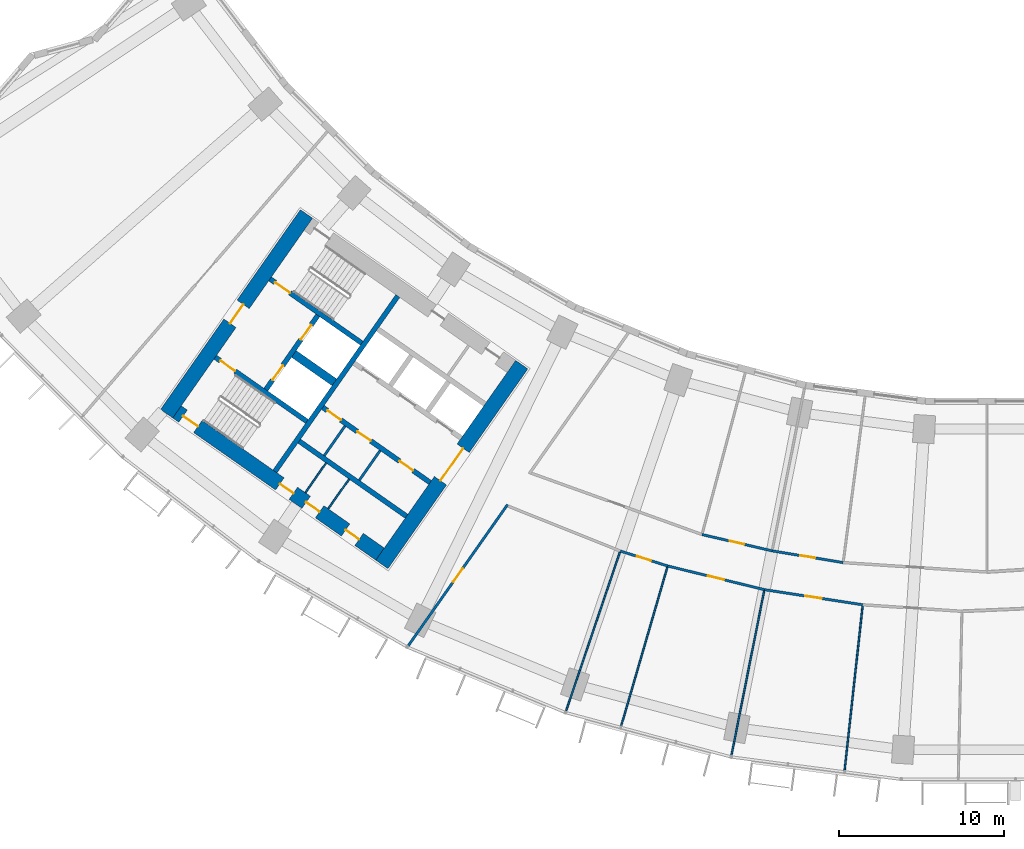
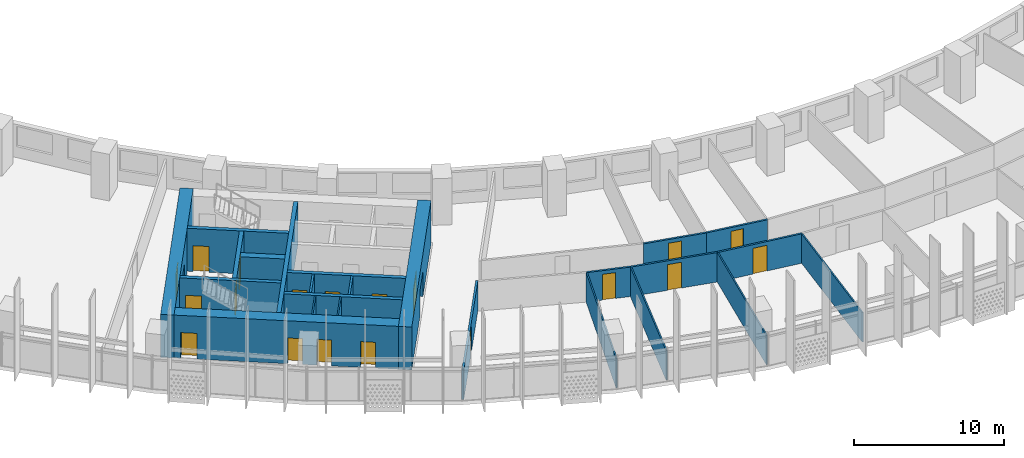
# One storey, part 3 of 31: 24 walls, 19 doors, 19 openings.
"""IFC4 building model written with IfcOpenShell, lengths in metres."""

from ifc_helpers import new_model, si_unit, direction, frame, frame_2d, origin, place, context, subcontext, project, spatial, rectangle, extrude, material, layer, layer_set, type_object, element, fill, save


model = new_model("IFC4")

# Units and contexts
model_context = context("Model", 3, precision=1e-05, world=origin(), true_north=direction((0.0, 1.0)))
body_context = subcontext(model_context, "Body", "Model", "MODEL_VIEW")
ifc_project = project(units=[si_unit("LENGTHUNIT", "METRE"), si_unit("AREAUNIT", "SQUARE_METRE"), si_unit("VOLUMEUNIT", "CUBIC_METRE"), si_unit("PLANEANGLEUNIT", "RADIAN"), si_unit("MASSUNIT", "GRAM", prefix="KILO")], contexts=[model_context])

# Site, building, storey
site_placement = place(None, origin())
site = spatial("IfcSite", under=ifc_project, at=site_placement, CompositionType="ELEMENT")
building_placement = place(site_placement, origin())
building = spatial("IfcBuilding", under=site, at=building_placement, Name="Qamariyya Broadcast Tower", CompositionType="ELEMENT")
storey_placement = place(building_placement, frame((0.0, 0.0, 48.10009765625)))
storey = spatial("IfcBuildingStorey", under=building, at=storey_placement, Name="L08", CompositionType="ELEMENT", Elevation=48.10009765625)

# Wall, opening, door
ifc_material_1 = material(Name="Concrete C70/85", Category="concrete")
ifc_layer_1 = layer(ifc_material_1, 0.89990234375)
ifc_layer_set_1 = layer_set([ifc_layer_1], Name="Core wall 900 mm Concrete C70/85")
wall_type_1 = type_object("IfcWallType", Name="Core wall 900 mm Concrete C70/85", PredefinedType="SHEAR", material=ifc_layer_set_1)
wall_1_placement = place(storey_placement, frame((-36.716796875, -66.3369140625, 0.0), z_axis=(0.0, 0.0, 1.0), x_axis=(0.573577477574, 0.819151315216, 0.0)))
wall_1 = element("IfcWall", 1, at=wall_1_placement, inside=storey, type_object=wall_type_1, Name="k-W-L08-WA", PredefinedType="SHEAR", context=body_context, shape_type="SweptSolid", body=[
    extrude(rectangle(XDim=14.800048828125, YDim=0.89990234375, at=frame_2d((7.39990234375, 0.0))), origin(), (0.0, 0.0, 1.0), 3.5),
])
opening_1_placement = place(wall_1_placement, frame((6.199951171875, 0.0, 0.0)))
opening_1 = element("IfcOpeningElement", 2, at=opening_1_placement, cuts=wall_1, Name="Opening KD3-W1", PredefinedType="OPENING", context=body_context, shape_type="SweptSolid", body=[
    extrude(rectangle(XDim=2.39990234375, YDim=2.10009765625, at=frame_2d((1.199951171875, 1.050048828125))), frame((0.0, 0.4599609375, 0.0), z_axis=(0.0, -1.0, 0.0), x_axis=(1.0, 0.0, 0.0)), (0.0, 0.0, 1.0), 0.919921875),
])
ifc_material_2 = material(Name="Steel fire-resisting door leaf", Category="steel")
door_type_1 = type_object("IfcDoorType", Name="Lift lobby door KD3", OperationType="DOUBLE_DOOR_SINGLE_SWING", PredefinedType="DOOR", material=ifc_material_2)
door_1_placement = place(opening_1_placement, origin())
door_1 = element("IfcDoor", 3, at=door_1_placement, inside=storey, type_object=door_type_1, Name="k-W-L08-WA-D1", OperationType="DOUBLE_DOOR_SINGLE_SWING", OverallHeight=2.10009765625, OverallWidth=2.39990234375, PredefinedType="DOOR", context=body_context, shape_type="SweptSolid", body=[
    extrude(rectangle(XDim=2.39990234375, YDim=2.10009765625, at=frame_2d((1.199951171875, 1.050048828125))), frame((0.0, 0.02490234375, 0.0), z_axis=(0.0, -1.0, 0.0), x_axis=(1.0, 0.0, 0.0)), (0.0, 0.0, 1.0), 0.050048828125),
])
fill(opening_1, door_1)

wall_2_placement = place(storey_placement, frame((-49.778564453125, -57.191162109375, 0.0), z_axis=(0.0, 0.0, 1.0), x_axis=(0.573577477574, 0.819151315216, 0.0)))
wall_2 = element("IfcWall", 4, at=wall_2_placement, inside=storey, type_object=wall_type_1, Name="k-W-L08-WH", PredefinedType="SHEAR", context=body_context, shape_type="SweptSolid", body=[
    extrude(rectangle(XDim=14.800048828125, YDim=0.89990234375, at=frame_2d((7.39990234375, 0.0))), origin(), (0.0, 0.0, 1.0), 3.5),
])
opening_2_placement = place(wall_2_placement, frame((6.699951171875, 0.0, 0.0)))
opening_2 = element("IfcOpeningElement", 5, at=opening_2_placement, cuts=wall_2, Name="Opening KD2-W1", PredefinedType="OPENING", context=body_context, shape_type="SweptSolid", body=[
    extrude(rectangle(XDim=1.39990234375, YDim=2.10009765625, at=frame_2d((0.699951171875, 1.050048828125))), frame((0.0, 0.4599609375, 0.0), z_axis=(0.0, -1.0, 0.0), x_axis=(1.0, 0.0, 0.0)), (0.0, 0.0, 1.0), 0.919921875),
])
door_type_2 = type_object("IfcDoorType", Name="Fire-fighting lobby door KD2", OperationType="DOUBLE_DOOR_SINGLE_SWING", PredefinedType="DOOR", material=ifc_material_2)
door_2_placement = place(opening_2_placement, origin())
door_2 = element("IfcDoor", 6, at=door_2_placement, inside=storey, type_object=door_type_2, Name="k-W-L08-WH-D15", OperationType="DOUBLE_DOOR_SINGLE_SWING", OverallHeight=2.10009765625, OverallWidth=1.39990234375, PredefinedType="DOOR", context=body_context, shape_type="SweptSolid", body=[
    extrude(rectangle(XDim=1.39990234375, YDim=2.10009765625, at=frame_2d((0.699951171875, 1.050048828125))), frame((0.0, 0.02490234375, 0.0), z_axis=(0.0, -1.0, 0.0), x_axis=(1.0, 0.0, 0.0)), (0.0, 0.0, 1.0), 0.050048828125),
])
fill(opening_2, door_2)

# Wall, openings, doors
wall_3_placement = place(storey_placement, frame((-36.827392578125, -65.710205078125, 0.0), z_axis=(0.0, 0.0, 1.0), x_axis=(-0.819153391756, 0.573574511963, 0.0)))
wall_3 = element("IfcWall", 7, at=wall_3_placement, inside=storey, type_object=wall_type_1, Name="k-W-L08-WO", PredefinedType="SHEAR", context=body_context, shape_type="SweptSolid", body=[
    extrude(rectangle(XDim=15.04541015625, YDim=0.89990234375, at=frame_2d((7.522705078125, 0.0))), origin(), (0.0, 0.0, 1.0), 3.5),
])
opening_3_placement = place(wall_3_placement, frame((1.550048828125, 0.0, 0.0)))
opening_3 = element("IfcOpeningElement", 8, at=opening_3_placement, cuts=wall_3, Name="Opening KD4-W2", PredefinedType="OPENING", context=body_context, shape_type="SweptSolid", body=[
    extrude(rectangle(XDim=1.0, YDim=2.10009765625, at=frame_2d((0.5, 1.050048828125))), frame((0.0, 0.4599609375, 0.0), z_axis=(0.0, -1.0, 0.0), x_axis=(1.0, 0.0, 0.0)), (0.0, 0.0, 1.0), 0.919921875),
])
opening_4_placement = place(wall_3_placement, frame((4.47509765625, 0.0, 0.0)))
opening_4 = element("IfcOpeningElement", 9, at=opening_4_placement, cuts=wall_3, Name="Opening KD4-W3", PredefinedType="OPENING", context=body_context, shape_type="SweptSolid", body=[
    extrude(rectangle(XDim=1.0, YDim=2.10009765625, at=frame_2d((0.5, 1.050048828125))), frame((0.0, 0.4599609375, 0.0), z_axis=(0.0, -1.0, 0.0), x_axis=(1.0, 0.0, 0.0)), (0.0, 0.0, 1.0), 0.919921875),
])
opening_5_placement = place(wall_3_placement, frame((6.425048828125, 0.0, 0.0)))
opening_5 = element("IfcOpeningElement", 10, at=opening_5_placement, cuts=wall_3, Name="Opening KD4-W4", PredefinedType="OPENING", context=body_context, shape_type="SweptSolid", body=[
    extrude(rectangle(XDim=1.0, YDim=2.10009765625, at=frame_2d((0.5, 1.050048828125))), frame((0.0, 0.4599609375, 0.0), z_axis=(0.0, -1.0, 0.0), x_axis=(1.0, 0.0, 0.0)), (0.0, 0.0, 1.0), 0.919921875),
])
opening_6_placement = place(wall_3_placement, frame((13.495361328125, 0.0, 0.0)))
opening_6 = element("IfcOpeningElement", 11, at=opening_6_placement, cuts=wall_3, Name="Opening KD1-W3", PredefinedType="OPENING", context=body_context, shape_type="SweptSolid", body=[
    extrude(rectangle(XDim=1.10009765625, YDim=2.10009765625, at=frame_2d((0.550048828125, 1.050048828125))), frame((0.0, 0.4599609375, 0.0), z_axis=(0.0, -1.0, 0.0), x_axis=(1.0, 0.0, 0.0)), (0.0, 0.0, 1.0), 0.919921875),
])
door_type_3 = type_object("IfcDoorType", Name="Riser and plant door KD4", OperationType="SINGLE_SWING_LEFT", PredefinedType="DOOR", material=ifc_material_2)
door_3_placement = place(opening_3_placement, origin())
door_3 = element("IfcDoor", 12, at=door_3_placement, inside=storey, type_object=door_type_3, Name="k-W-L08-WO-D10", OperationType="SINGLE_SWING_LEFT", OverallHeight=2.10009765625, OverallWidth=1.0, PredefinedType="DOOR", context=body_context, shape_type="SweptSolid", body=[
    extrude(rectangle(XDim=1.0, YDim=2.10009765625, at=frame_2d((0.5, 1.050048828125))), frame((0.0, 0.02490234375, 0.0), z_axis=(0.0, -1.0, 0.0), x_axis=(1.0, 0.0, 0.0)), (0.0, 0.0, 1.0), 0.050048828125),
])
fill(opening_3, door_3)
door_4_placement = place(opening_4_placement, origin())
door_4 = element("IfcDoor", 13, at=door_4_placement, inside=storey, type_object=door_type_3, Name="k-W-L08-WO-D11", OperationType="SINGLE_SWING_RIGHT", OverallHeight=2.10009765625, OverallWidth=1.0, PredefinedType="DOOR", context=body_context, shape_type="SweptSolid", body=[
    extrude(rectangle(XDim=1.0, YDim=2.10009765625, at=frame_2d((0.5, 1.050048828125))), frame((0.0, 0.02490234375, 0.0), z_axis=(0.0, -1.0, 0.0), x_axis=(1.0, 0.0, 0.0)), (0.0, 0.0, 1.0), 0.050048828125),
])
fill(opening_4, door_4)
door_5_placement = place(opening_5_placement, origin())
door_5 = element("IfcDoor", 14, at=door_5_placement, inside=storey, type_object=door_type_3, Name="k-W-L08-WO-D12", OperationType="SINGLE_SWING_LEFT", OverallHeight=2.10009765625, OverallWidth=1.0, PredefinedType="DOOR", context=body_context, shape_type="SweptSolid", body=[
    extrude(rectangle(XDim=1.0, YDim=2.10009765625, at=frame_2d((0.5, 1.050048828125))), frame((0.0, 0.02490234375, 0.0), z_axis=(0.0, -1.0, 0.0), x_axis=(1.0, 0.0, 0.0)), (0.0, 0.0, 1.0), 0.050048828125),
])
fill(opening_5, door_5)
door_type_4 = type_object("IfcDoorType", Name="Stair door KD1", OperationType="SINGLE_SWING_LEFT", PredefinedType="DOOR", material=ifc_material_2)
door_6_placement = place(opening_6_placement, origin())
door_6 = element("IfcDoor", 15, at=door_6_placement, inside=storey, type_object=door_type_4, Name="k-W-L08-WO-D18", OperationType="SINGLE_SWING_LEFT", OverallHeight=2.10009765625, OverallWidth=1.10009765625, PredefinedType="DOOR", context=body_context, shape_type="SweptSolid", body=[
    extrude(rectangle(XDim=1.10009765625, YDim=2.10009765625, at=frame_2d((0.550048828125, 1.050048828125))), frame((0.0, 0.02490234375, 0.0), z_axis=(0.0, -1.0, 0.0), x_axis=(1.0, 0.0, 0.0)), (0.0, 0.0, 1.0), 0.050048828125),
])
fill(opening_6, door_6)

# Wall, opening, door
ifc_material_3 = material(Name="Gypsum board partition")
ifc_layer_2 = layer(ifc_material_3, 0.14990234375)
ifc_layer_set_2 = layer_set([ifc_layer_2], Name="Corridor partition 150 EI 60")
wall_type_2 = type_object("IfcWallType", Name="Corridor partition 150 EI 60", PredefinedType="PARTITIONING", material=ifc_layer_set_2)
wall_4_placement = place(storey_placement, frame((-29.087890625, -62.708251953125, 0.0), z_axis=(0.0, 0.0, 1.0), x_axis=(-0.575411972256, -0.817863718589, 0.0)))
wall_4 = element("IfcWall", 16, at=wall_4_placement, inside=storey, type_object=wall_type_2, Name="Partition L08-002", PredefinedType="PARTITIONING", context=body_context, shape_type="SweptSolid", body=[
    extrude(rectangle(XDim=10.471435546875, YDim=0.14990234375, at=frame_2d((5.23583984375, 0.0))), origin(), (0.0, 0.0, 1.0), 2.39990234375),
])
opening_7_placement = place(wall_4_placement, frame((4.735595703125, 0.0, 0.0)))
opening_7 = element("IfcOpeningElement", 17, at=opening_7_placement, cuts=wall_4, Name="Opening L08-D01", PredefinedType="OPENING", context=body_context, shape_type="SweptSolid", body=[
    extrude(rectangle(XDim=1.0, YDim=2.10009765625, at=frame_2d((0.5, 1.050048828125))), frame((0.0, 0.0849609375, 0.0), z_axis=(0.0, -1.0, 0.0), x_axis=(1.0, 0.0, 0.0)), (0.0, 0.0, 1.0), 0.169921875),
])
ifc_material_4 = material(Name="Timber fire door leaf", Category="wood")
door_type_5 = type_object("IfcDoorType", Name="Fire door 1000 x 2100 FD60", OperationType="NOTDEFINED", PredefinedType="DOOR", material=ifc_material_4)
door_7_placement = place(opening_7_placement, origin())
door_7 = element("IfcDoor", 18, at=door_7_placement, inside=storey, type_object=door_type_5, Name="Door L08-D01", OperationType="SINGLE_SWING_RIGHT", OverallHeight=2.10009765625, OverallWidth=1.0, PredefinedType="DOOR", context=body_context, shape_type="SweptSolid", body=[
    extrude(rectangle(XDim=1.0, YDim=2.10009765625, at=frame_2d((0.5, 1.050048828125))), frame((0.0, 0.02490234375, 0.0), z_axis=(0.0, -1.0, 0.0), x_axis=(1.0, 0.0, 0.0)), (0.0, 0.0, 1.0), 0.050048828125),
])
fill(opening_7, door_7)

wall_5_placement = place(storey_placement, frame((-19.365966796875, -66.434814453125, 0.0), z_axis=(0.0, 0.0, 1.0), x_axis=(-0.953726854704, 0.300674386365, 0.0)))
wall_5 = element("IfcWall", 19, at=wall_5_placement, inside=storey, type_object=wall_type_2, Name="Partition L08-007", PredefinedType="PARTITIONING", context=body_context, shape_type="SweptSolid", body=[
    extrude(rectangle(XDim=3.017333984375, YDim=0.14990234375, at=frame_2d((1.5087890625, 0.0))), origin(), (0.0, 0.0, 1.0), 2.39990234375),
])
opening_8_placement = place(wall_5_placement, frame((1.05859375, 0.0, 0.0)))
opening_8 = element("IfcOpeningElement", 20, at=opening_8_placement, cuts=wall_5, Name="Opening L08-D02", PredefinedType="OPENING", context=body_context, shape_type="SweptSolid", body=[
    extrude(rectangle(XDim=0.89990234375, YDim=2.10009765625, at=frame_2d((0.449951171875, 1.050048828125))), frame((0.0, 0.0849609375, 0.0), z_axis=(0.0, -1.0, 0.0), x_axis=(1.0, 0.0, 0.0)), (0.0, 0.0, 1.0), 0.169921875),
])
door_type_6 = type_object("IfcDoorType", Name="Fire door 900 x 2100 FD60", OperationType="NOTDEFINED", PredefinedType="DOOR", material=ifc_material_4)
door_8_placement = place(opening_8_placement, origin())
door_8 = element("IfcDoor", 21, at=door_8_placement, inside=storey, type_object=door_type_6, Name="Door L08-D02", OperationType="SINGLE_SWING_RIGHT", OverallHeight=2.10009765625, OverallWidth=0.89990234375, PredefinedType="DOOR", context=body_context, shape_type="SweptSolid", body=[
    extrude(rectangle(XDim=0.89990234375, YDim=2.10009765625, at=frame_2d((0.449951171875, 1.050048828125))), frame((0.0, 0.02490234375, 0.0), z_axis=(0.0, -1.0, 0.0), x_axis=(1.0, 0.0, 0.0)), (0.0, 0.0, 1.0), 0.050048828125),
])
fill(opening_8, door_8)

wall_6_placement = place(storey_placement, frame((-13.500244140625, -67.870361328125, 0.0), z_axis=(0.0, 0.0, 1.0), x_axis=(-0.971333900191, 0.237719276331, 0.0)))
wall_6 = element("IfcWall", 22, at=wall_6_placement, inside=storey, type_object=wall_type_2, Name="Partition L08-009", PredefinedType="PARTITIONING", context=body_context, shape_type="SweptSolid", body=[
    extrude(rectangle(XDim=6.038818359375, YDim=0.14990234375, at=frame_2d((3.01953125, 0.0))), origin(), (0.0, 0.0, 1.0), 2.39990234375),
])
opening_9_placement = place(wall_6_placement, frame((2.51953125, 0.0, 0.0)))
opening_9 = element("IfcOpeningElement", 23, at=opening_9_placement, cuts=wall_6, Name="Opening L08-D03", PredefinedType="OPENING", context=body_context, shape_type="SweptSolid", body=[
    extrude(rectangle(XDim=1.0, YDim=2.10009765625, at=frame_2d((0.5, 1.050048828125))), frame((0.0, 0.0849609375, 0.0), z_axis=(0.0, -1.0, 0.0), x_axis=(1.0, 0.0, 0.0)), (0.0, 0.0, 1.0), 0.169921875),
])
door_9_placement = place(opening_9_placement, origin())
door_9 = element("IfcDoor", 24, at=door_9_placement, inside=storey, type_object=door_type_5, Name="Door L08-D03", OperationType="SINGLE_SWING_RIGHT", OverallHeight=2.10009765625, OverallWidth=1.0, PredefinedType="DOOR", context=body_context, shape_type="SweptSolid", body=[
    extrude(rectangle(XDim=1.0, YDim=2.10009765625, at=frame_2d((0.5, 1.050048828125))), frame((0.0, 0.02490234375, 0.0), z_axis=(0.0, -1.0, 0.0), x_axis=(1.0, 0.0, 0.0)), (0.0, 0.0, 1.0), 0.050048828125),
])
fill(opening_9, door_9)

wall_7_placement = place(storey_placement, frame((-17.2890625, -64.52392578125, 0.0), z_axis=(0.0, 0.0, 1.0), x_axis=(0.973886095728, -0.227037161159, 0.0)))
wall_7 = element("IfcWall", 25, at=wall_7_placement, inside=storey, type_object=wall_type_2, Name="Partition L08-010", PredefinedType="PARTITIONING", context=body_context, shape_type="SweptSolid", body=[
    extrude(rectangle(XDim=4.371337890625, YDim=0.14990234375, at=frame_2d((2.185546875, 0.0))), origin(), (0.0, 0.0, 1.0), 2.39990234375),
])
opening_10_placement = place(wall_7_placement, frame((1.735595703125, 0.0, 0.0)))
opening_10 = element("IfcOpeningElement", 26, at=opening_10_placement, cuts=wall_7, Name="Opening L08-D11", PredefinedType="OPENING", context=body_context, shape_type="SweptSolid", body=[
    extrude(rectangle(XDim=0.89990234375, YDim=2.10009765625, at=frame_2d((0.449951171875, 1.050048828125))), frame((0.0, 0.0849609375, 0.0), z_axis=(0.0, -1.0, 0.0), x_axis=(1.0, 0.0, 0.0)), (0.0, 0.0, 1.0), 0.169921875),
])
door_10_placement = place(opening_10_placement, origin())
door_10 = element("IfcDoor", 27, at=door_10_placement, inside=storey, type_object=door_type_6, Name="Door L08-D11", OperationType="SINGLE_SWING_RIGHT", OverallHeight=2.10009765625, OverallWidth=0.89990234375, PredefinedType="DOOR", context=body_context, shape_type="SweptSolid", body=[
    extrude(rectangle(XDim=0.89990234375, YDim=2.10009765625, at=frame_2d((0.449951171875, 1.050048828125))), frame((0.0, 0.02490234375, 0.0), z_axis=(0.0, -1.0, 0.0), x_axis=(1.0, 0.0, 0.0)), (0.0, 0.0, 1.0), 0.050048828125),
])
fill(opening_10, door_10)

wall_8_placement = place(storey_placement, frame((-7.53173828125, -68.788818359375, 0.0), z_axis=(0.0, 0.0, 1.0), x_axis=(-0.98836608834, 0.152093640297, 0.0)))
wall_8 = element("IfcWall", 28, at=wall_8_placement, inside=storey, type_object=wall_type_2, Name="Partition L08-013", PredefinedType="PARTITIONING", context=body_context, shape_type="SweptSolid", body=[
    extrude(rectangle(XDim=6.038818359375, YDim=0.14990234375, at=frame_2d((3.01953125, 0.0))), origin(), (0.0, 0.0, 1.0), 2.39990234375),
])
opening_11_placement = place(wall_8_placement, frame((2.51953125, 0.0, 0.0)))
opening_11 = element("IfcOpeningElement", 29, at=opening_11_placement, cuts=wall_8, Name="Opening L08-D04", PredefinedType="OPENING", context=body_context, shape_type="SweptSolid", body=[
    extrude(rectangle(XDim=1.0, YDim=2.10009765625, at=frame_2d((0.5, 1.050048828125))), frame((0.0, 0.0849609375, 0.0), z_axis=(0.0, -1.0, 0.0), x_axis=(1.0, 0.0, 0.0)), (0.0, 0.0, 1.0), 0.169921875),
])
door_11_placement = place(opening_11_placement, origin())
door_11 = element("IfcDoor", 30, at=door_11_placement, inside=storey, type_object=door_type_5, Name="Door L08-D04", OperationType="SINGLE_SWING_RIGHT", OverallHeight=2.10009765625, OverallWidth=1.0, PredefinedType="DOOR", context=body_context, shape_type="SweptSolid", body=[
    extrude(rectangle(XDim=1.0, YDim=2.10009765625, at=frame_2d((0.5, 1.050048828125))), frame((0.0, 0.02490234375, 0.0), z_axis=(0.0, -1.0, 0.0), x_axis=(1.0, 0.0, 0.0)), (0.0, 0.0, 1.0), 0.050048828125),
])
fill(opening_11, door_11)

wall_9_placement = place(storey_placement, frame((-13.031982421875, -65.516357421875, 0.0), z_axis=(0.0, 0.0, 1.0), x_axis=(0.986638873051, -0.162922479065, 0.0)))
wall_9 = element("IfcWall", 31, at=wall_9_placement, inside=storey, type_object=wall_type_2, Name="Partition L08-014", PredefinedType="PARTITIONING", context=body_context, shape_type="SweptSolid", body=[
    extrude(rectangle(XDim=4.37109375, YDim=0.14990234375, at=frame_2d((2.185546875, 0.0))), origin(), (0.0, 0.0, 1.0), 2.39990234375),
])
opening_12_placement = place(wall_9_placement, frame((1.735595703125, 0.0, 0.0)))
opening_12 = element("IfcOpeningElement", 32, at=opening_12_placement, cuts=wall_9, Name="Opening L08-D12", PredefinedType="OPENING", context=body_context, shape_type="SweptSolid", body=[
    extrude(rectangle(XDim=0.89990234375, YDim=2.10009765625, at=frame_2d((0.449951171875, 1.050048828125))), frame((0.0, 0.0849609375, 0.0), z_axis=(0.0, -1.0, 0.0), x_axis=(1.0, 0.0, 0.0)), (0.0, 0.0, 1.0), 0.169921875),
])
door_12_placement = place(opening_12_placement, origin())
door_12 = element("IfcDoor", 33, at=door_12_placement, inside=storey, type_object=door_type_6, Name="Door L08-D12", OperationType="SINGLE_SWING_RIGHT", OverallHeight=2.10009765625, OverallWidth=0.89990234375, PredefinedType="DOOR", context=body_context, shape_type="SweptSolid", body=[
    extrude(rectangle(XDim=0.89990234375, YDim=2.10009765625, at=frame_2d((0.449951171875, 1.050048828125))), frame((0.0, 0.02490234375, 0.0), z_axis=(0.0, -1.0, 0.0), x_axis=(1.0, 0.0, 0.0)), (0.0, 0.0, 1.0), 0.050048828125),
])
fill(opening_12, door_12)

# Walls
ifc_material_5 = material(Name="Concrete C60/75", Category="concrete")
ifc_layer_3 = layer(ifc_material_5, 0.5)
ifc_layer_set_3 = layer_set([ifc_layer_3], Name="Fire-fighting lobby divider wall 500 mm Concrete C60/75")
wall_type_3 = type_object("IfcWallType", Name="Fire-fighting lobby divider wall 500 mm Concrete C60/75", PredefinedType="SOLIDWALL", material=ifc_layer_set_3)
wall_10_placement = place(storey_placement, frame((-39.59912109375, -55.28515625, 0.0), z_axis=(0.0, 0.0, 1.0), x_axis=(-0.819136323161, 0.573598887793, 0.0)))
element("IfcWall", 34, at=wall_10_placement, inside=storey, type_object=wall_type_3, Name="k-W-L08-FD", PredefinedType="SOLIDWALL", context=body_context, shape_type="SweptSolid", body=[
    extrude(rectangle(XDim=2.999755859375, YDim=0.5, at=frame_2d((1.5, 0.0))), origin(), (0.0, 0.0, 1.0), 3.5),
])
ifc_material_6 = material(Name="Gypsum board partition on steel studs", Category="steel")
ifc_layer_4 = layer(ifc_material_6, 0.14990234375)
ifc_layer_set_4 = layer_set([ifc_layer_4], Name="Gypsum board partition 150 mm")
wall_type_4 = type_object("IfcWallType", Name="Gypsum board partition 150 mm", PredefinedType="PARTITIONING", material=ifc_layer_set_4)
for number, where, z_axis, x_axis, name in (
    (35, (-36.822509765625, -59.4267578125, 0.0), (0.0, 0.0, 1.0), (-0.573507030513, -0.819200638399, 0.0), "k-W-L08-SC360"),
    (36, (-38.9521484375, -57.935546875, 0.0), (0.0, 0.0, 1.0), (-0.573633636671, -0.819111989218, 0.0), "k-W-L08-SC620"),
):
    element("IfcWall", number, at=place(storey_placement, frame(where, z_axis=z_axis, x_axis=x_axis)), inside=storey, type_object=wall_type_4, Name=name, PredefinedType="PARTITIONING", context=body_context, shape_type="SweptSolid", body=[
        extrude(rectangle(XDim=2.199951171875, YDim=0.14990234375, at=frame_2d((1.10009765625, 0.0))), origin(), (0.0, 0.0, 1.0), 3.5),
    ])
ifc_layer_5 = layer(ifc_material_5, 0.300048828125)
ifc_layer_set_5 = layer_set([ifc_layer_5], Name="Lift shaft wall 300 mm Concrete C60/75")
wall_type_5 = type_object("IfcWallType", Name="Lift shaft wall 300 mm Concrete C60/75", PredefinedType="SOLIDWALL", material=ifc_layer_set_5)
wall_11_placement = place(storey_placement, frame((-43.204345703125, -60.69580078125, 0.0), z_axis=(0.0, 0.0, 1.0), x_axis=(0.573571992966, 0.819155155563, 0.0)))
element("IfcWall", 37, at=wall_11_placement, inside=storey, type_object=wall_type_5, Name="k-W-L08-WL", PredefinedType="SOLIDWALL", context=body_context, shape_type="SweptSolid", body=[
    extrude(rectangle(XDim=13.000244140625, YDim=0.300048828125, at=frame_2d((6.5, 0.0))), origin(), (0.0, 0.0, 1.0), 3.5),
])

# Wall, openings, doors
wall_12_placement = place(storey_placement, frame((-33.787353515625, -61.368896484375, 0.0), z_axis=(0.0, 0.0, 1.0), x_axis=(-0.819152564888, 0.573575692858, 0.0)))
wall_12 = element("IfcWall", 38, at=wall_12_placement, inside=storey, type_object=wall_type_5, Name="k-W-L08-SF0", PredefinedType="SOLIDWALL", context=body_context, shape_type="SweptSolid", body=[
    extrude(rectangle(XDim=7.9501953125, YDim=0.300048828125, at=frame_2d((3.97509765625, 0.0))), origin(), (0.0, 0.0, 1.0), 3.5),
])
opening_13_placement = place(wall_12_placement, frame((1.262451171875, 0.0, 0.0)))
opening_13 = element("IfcOpeningElement", 39, at=opening_13_placement, cuts=wall_12, Name="Opening KD6-W1", PredefinedType="OPENING", context=body_context, shape_type="SweptSolid", body=[
    extrude(rectangle(XDim=1.0, YDim=2.10009765625, at=frame_2d((0.5, 1.050048828125))), frame((0.0, 0.159912109375, 0.0), z_axis=(0.0, -1.0, 0.0), x_axis=(1.0, 0.0, 0.0)), (0.0, 0.0, 1.0), 0.320068359375),
])
opening_14_placement = place(wall_12_placement, frame((4.39990234375, 0.0, 0.0)))
opening_14 = element("IfcOpeningElement", 40, at=opening_14_placement, cuts=wall_12, Name="Opening KD4-W1", PredefinedType="OPENING", context=body_context, shape_type="SweptSolid", body=[
    extrude(rectangle(XDim=1.0, YDim=2.10009765625, at=frame_2d((0.5, 1.050048828125))), frame((0.0, 0.159912109375, 0.0), z_axis=(0.0, -1.0, 0.0), x_axis=(1.0, 0.0, 0.0)), (0.0, 0.0, 1.0), 0.320068359375),
])
opening_15_placement = place(wall_12_placement, frame((6.612548828125, 0.0, 0.0)))
opening_15 = element("IfcOpeningElement", 41, at=opening_15_placement, cuts=wall_12, Name="Opening KD6-W2", PredefinedType="OPENING", context=body_context, shape_type="SweptSolid", body=[
    extrude(rectangle(XDim=1.0, YDim=2.10009765625, at=frame_2d((0.5, 1.050048828125))), frame((0.0, 0.159912109375, 0.0), z_axis=(0.0, -1.0, 0.0), x_axis=(1.0, 0.0, 0.0)), (0.0, 0.0, 1.0), 0.320068359375),
])
door_type_7 = type_object("IfcDoorType", Name="Core room door KD6", OperationType="SINGLE_SWING_LEFT", PredefinedType="DOOR", material=ifc_material_2)
door_13_placement = place(opening_13_placement, origin())
door_13 = element("IfcDoor", 42, at=door_13_placement, inside=storey, type_object=door_type_7, Name="k-W-L08-SF0-D5", OperationType="SINGLE_SWING_RIGHT", OverallHeight=2.10009765625, OverallWidth=1.0, PredefinedType="DOOR", context=body_context, shape_type="SweptSolid", body=[
    extrude(rectangle(XDim=1.0, YDim=2.10009765625, at=frame_2d((0.5, 1.050048828125))), frame((0.0, 0.02490234375, 0.0), z_axis=(0.0, -1.0, 0.0), x_axis=(1.0, 0.0, 0.0)), (0.0, 0.0, 1.0), 0.050048828125),
])
fill(opening_13, door_13)
door_14_placement = place(opening_15_placement, origin())
door_14 = element("IfcDoor", 43, at=door_14_placement, inside=storey, type_object=door_type_7, Name="k-W-L08-SF0-D7", OperationType="SINGLE_SWING_RIGHT", OverallHeight=2.10009765625, OverallWidth=1.0, PredefinedType="DOOR", context=body_context, shape_type="SweptSolid", body=[
    extrude(rectangle(XDim=1.0, YDim=2.10009765625, at=frame_2d((0.5, 1.050048828125))), frame((0.0, 0.02490234375, 0.0), z_axis=(0.0, -1.0, 0.0), x_axis=(1.0, 0.0, 0.0)), (0.0, 0.0, 1.0), 0.050048828125),
])
fill(opening_15, door_14)
door_15_placement = place(opening_14_placement, origin())
door_15 = element("IfcDoor", 44, at=door_15_placement, inside=storey, type_object=door_type_3, Name="k-W-L08-SF0-D6", OperationType="SINGLE_SWING_LEFT", OverallHeight=2.10009765625, OverallWidth=1.0, PredefinedType="DOOR", context=body_context, shape_type="SweptSolid", body=[
    extrude(rectangle(XDim=1.0, YDim=2.10009765625, at=frame_2d((0.5, 1.050048828125))), frame((0.0, 0.02490234375, 0.0), z_axis=(0.0, -1.0, 0.0), x_axis=(1.0, 0.0, 0.0)), (0.0, 0.0, 1.0), 0.050048828125),
])
fill(opening_14, door_15)

# Wall
wall_13_placement = place(storey_placement, frame((-35.22119140625, -63.41650390625, 0.0), z_axis=(0.0, 0.0, 1.0), x_axis=(-0.819166993208, 0.573555086491, 0.0)))
element("IfcWall", 45, at=wall_13_placement, inside=storey, type_object=wall_type_5, Name="k-W-L08-SB0", PredefinedType="SOLIDWALL", context=body_context, shape_type="SweptSolid", body=[
    extrude(rectangle(XDim=7.9501953125, YDim=0.300048828125, at=frame_2d((3.97509765625, 0.0))), origin(), (0.0, 0.0, 1.0), 3.5),
])

# Wall, opening, door
wall_14_placement = place(storey_placement, frame((-37.935546875, -52.90966796875, 0.0), z_axis=(0.0, 0.0, 1.0), x_axis=(-0.819147518138, 0.57358290031, 0.0)))
wall_14 = element("IfcWall", 46, at=wall_14_placement, inside=storey, type_object=wall_type_5, Name="k-W-L08-NW", PredefinedType="SOLIDWALL", context=body_context, shape_type="SweptSolid", body=[
    extrude(rectangle(XDim=6.79541015625, YDim=0.300048828125, at=frame_2d((3.397705078125, 0.0))), origin(), (0.0, 0.0, 1.0), 3.5),
])
opening_16_placement = place(wall_14_placement, frame((5.3203125, 0.0, 0.0)))
opening_16 = element("IfcOpeningElement", 47, at=opening_16_placement, cuts=wall_14, Name="Opening KD1-W2", PredefinedType="OPENING", context=body_context, shape_type="SweptSolid", body=[
    extrude(rectangle(XDim=1.10009765625, YDim=2.10009765625, at=frame_2d((0.550048828125, 1.050048828125))), frame((0.0, 0.159912109375, 0.0), z_axis=(0.0, -1.0, 0.0), x_axis=(1.0, 0.0, 0.0)), (0.0, 0.0, 1.0), 0.320068359375),
])
door_16_placement = place(opening_16_placement, origin())
door_16 = element("IfcDoor", 48, at=door_16_placement, inside=storey, type_object=door_type_4, Name="k-W-L08-NW-D17", OperationType="SINGLE_SWING_RIGHT", OverallHeight=2.10009765625, OverallWidth=1.10009765625, PredefinedType="DOOR", context=body_context, shape_type="SweptSolid", body=[
    extrude(rectangle(XDim=1.10009765625, YDim=2.10009765625, at=frame_2d((0.550048828125, 1.050048828125))), frame((0.0, 0.02490234375, 0.0), z_axis=(0.0, -1.0, 0.0), x_axis=(1.0, 0.0, 0.0)), (0.0, 0.0, 1.0), 0.050048828125),
])
fill(opening_16, door_16)

wall_15_placement = place(storey_placement, frame((-41.262451171875, -57.66064453125, 0.0), z_axis=(0.0, 0.0, 1.0), x_axis=(-0.819164398642, 0.573558792102, 0.0)))
wall_15 = element("IfcWall", 49, at=wall_15_placement, inside=storey, type_object=wall_type_5, Name="k-W-L08-SW", PredefinedType="SOLIDWALL", context=body_context, shape_type="SweptSolid", body=[
    extrude(rectangle(XDim=6.795166015625, YDim=0.300048828125, at=frame_2d((3.3974609375, 0.0))), origin(), (0.0, 0.0, 1.0), 3.5),
])
opening_17_placement = place(wall_15_placement, frame((5.3203125, 0.0, 0.0)))
opening_17 = element("IfcOpeningElement", 50, at=opening_17_placement, cuts=wall_15, Name="Opening KD1-W4", PredefinedType="OPENING", context=body_context, shape_type="SweptSolid", body=[
    extrude(rectangle(XDim=1.10009765625, YDim=2.10009765625, at=frame_2d((0.550048828125, 1.050048828125))), frame((0.0, 0.159912109375, 0.0), z_axis=(0.0, -1.0, 0.0), x_axis=(1.0, 0.0, 0.0)), (0.0, 0.0, 1.0), 0.320068359375),
])
door_17_placement = place(opening_17_placement, origin())
door_17 = element("IfcDoor", 51, at=door_17_placement, inside=storey, type_object=door_type_4, Name="k-W-L08-SW-D19", OperationType="SINGLE_SWING_RIGHT", OverallHeight=2.10009765625, OverallWidth=1.10009765625, PredefinedType="DOOR", context=body_context, shape_type="SweptSolid", body=[
    extrude(rectangle(XDim=1.10009765625, YDim=2.10009765625, at=frame_2d((0.550048828125, 1.050048828125))), frame((0.0, 0.02490234375, 0.0), z_axis=(0.0, -1.0, 0.0), x_axis=(1.0, 0.0, 0.0)), (0.0, 0.0, 1.0), 0.050048828125),
])
fill(opening_17, door_17)

# Wall, openings, doors
wall_16_placement = place(storey_placement, frame((-43.756591796875, -55.731201171875, 0.0), z_axis=(0.0, 0.0, 1.0), x_axis=(0.573536818435, 0.819179783625, 0.0)))
wall_16 = element("IfcWall", 52, at=wall_16_placement, inside=storey, type_object=wall_type_5, Name="k-W-L08-FF", PredefinedType="SOLIDWALL", context=body_context, shape_type="SweptSolid", body=[
    extrude(rectangle(XDim=5.500244140625, YDim=0.300048828125, at=frame_2d((2.75, 0.0))), origin(), (0.0, 0.0, 1.0), 3.5),
])
opening_18_placement = place(wall_16_placement, frame((0.699951171875, 0.0, 0.0)))
opening_18 = element("IfcOpeningElement", 53, at=opening_18_placement, cuts=wall_16, Name="Opening LD", PredefinedType="OPENING", context=body_context, shape_type="SweptSolid", body=[
    extrude(rectangle(XDim=1.10009765625, YDim=2.10009765625, at=frame_2d((0.550048828125, 1.050048828125))), frame((0.0, 0.159912109375, 0.0), z_axis=(0.0, -1.0, 0.0), x_axis=(1.0, 0.0, 0.0)), (0.0, 0.0, 1.0), 0.320068359375),
])
opening_19_placement = place(wall_16_placement, frame((3.699951171875, 0.0, 0.0)))
opening_19 = element("IfcOpeningElement", 54, at=opening_19_placement, cuts=wall_16, Name="Opening LD", PredefinedType="OPENING", context=body_context, shape_type="SweptSolid", body=[
    extrude(rectangle(XDim=1.10009765625, YDim=2.10009765625, at=frame_2d((0.550048828125, 1.050048828125))), frame((0.0, 0.159912109375, 0.0), z_axis=(0.0, -1.0, 0.0), x_axis=(1.0, 0.0, 0.0)), (0.0, 0.0, 1.0), 0.320068359375),
])
door_type_8 = type_object("IfcDoorType", Name="Lift landing door LD", OperationType="DOUBLE_DOOR_SLIDING", PredefinedType="DOOR", material=ifc_material_2)
door_18_placement = place(opening_18_placement, origin())
door_18 = element("IfcDoor", 55, at=door_18_placement, inside=storey, type_object=door_type_8, Name="k-W-L08-FF-D13", OperationType="DOUBLE_DOOR_SLIDING", OverallHeight=2.10009765625, OverallWidth=1.10009765625, PredefinedType="DOOR", context=body_context, shape_type="SweptSolid", body=[
    extrude(rectangle(XDim=1.10009765625, YDim=2.10009765625, at=frame_2d((0.550048828125, 1.050048828125))), frame((0.0, 0.02490234375, 0.0), z_axis=(0.0, -1.0, 0.0), x_axis=(1.0, 0.0, 0.0)), (0.0, 0.0, 1.0), 0.050048828125),
])
fill(opening_18, door_18)
door_19_placement = place(opening_19_placement, origin())
door_19 = element("IfcDoor", 56, at=door_19_placement, inside=storey, type_object=door_type_8, Name="k-W-L08-FF-D14", OperationType="DOUBLE_DOOR_SLIDING", OverallHeight=2.10009765625, OverallWidth=1.10009765625, PredefinedType="DOOR", context=body_context, shape_type="SweptSolid", body=[
    extrude(rectangle(XDim=1.10009765625, YDim=2.10009765625, at=frame_2d((0.550048828125, 1.050048828125))), frame((0.0, 0.02490234375, 0.0), z_axis=(0.0, -1.0, 0.0), x_axis=(1.0, 0.0, 0.0)), (0.0, 0.0, 1.0), 0.050048828125),
])
fill(opening_19, door_19)

# Walls
ifc_layer_6 = layer(ifc_material_3, 0.10009765625)
ifc_layer_set_6 = layer_set([ifc_layer_6], Name="Partition 100")
wall_type_6 = type_object("IfcWallType", Name="Partition 100", PredefinedType="PARTITIONING", material=ifc_layer_set_6)
wall_17_placement = place(storey_placement, frame((-25.538330078125, -75.233642578125, 0.0), z_axis=(0.0, 0.0, 1.0), x_axis=(0.32142736677, 0.946934236308, 0.0)))
element("IfcWall", 57, at=wall_17_placement, inside=storey, type_object=wall_type_6, Name="Partition L08-005", PredefinedType="PARTITIONING", context=body_context, shape_type="SweptSolid", body=[
    extrude(rectangle(XDim=10.175048828125, YDim=0.10009765625, at=frame_2d((5.08740234375, 0.0))), origin(), (0.0, 0.0, 1.0), 2.39990234375),
])
wall_18_placement = place(storey_placement, frame((-22.192138671875, -76.1298828125, 0.0), z_axis=(0.0, 0.0, 1.0), x_axis=(0.279857832074, 0.960041454223, 0.0)))
element("IfcWall", 58, at=wall_18_placement, inside=storey, type_object=wall_type_6, Name="Partition L08-006", PredefinedType="PARTITIONING", context=body_context, shape_type="SweptSolid", body=[
    extrude(rectangle(XDim=10.023681640625, YDim=0.10009765625, at=frame_2d((5.01171875, 0.0))), origin(), (0.0, 0.0, 1.0), 2.39990234375),
])
wall_19_placement = place(storey_placement, frame((-15.5, -77.92333984375, 0.0), z_axis=(0.0, 0.0, 1.0), x_axis=(0.195096278525, 0.980784095561, 0.0)))
element("IfcWall", 59, at=wall_19_placement, inside=storey, type_object=wall_type_6, Name="Partition L08-011", PredefinedType="PARTITIONING", context=body_context, shape_type="SweptSolid", body=[
    extrude(rectangle(XDim=10.175048828125, YDim=0.10009765625, at=frame_2d((5.08740234375, 0.0))), origin(), (0.0, 0.0, 1.0), 2.39990234375),
])
wall_20_placement = place(storey_placement, frame((-8.630859375, -78.827392578125, 0.0), z_axis=(0.0, 0.0, 1.0), x_axis=(0.108851448718, 0.994058027538, 0.0)))
element("IfcWall", 60, at=wall_20_placement, inside=storey, type_object=wall_type_6, Name="Partition L08-017", PredefinedType="PARTITIONING", context=body_context, shape_type="SweptSolid", body=[
    extrude(rectangle(XDim=10.0234375, YDim=0.10009765625, at=frame_2d((5.01171875, 0.0))), origin(), (0.0, 0.0, 1.0), 2.39990234375),
])
ifc_material_7 = material(Name="Fire-rated gypsum shaft liner on steel studs", Category="steel")
ifc_layer_7 = layer(ifc_material_7, 0.10009765625)
ifc_layer_set_7 = layer_set([ifc_layer_7], Name="Riser wall 100 mm")
wall_type_7 = type_object("IfcWallType", Name="Riser wall 100 mm", PredefinedType="PLUMBINGWALL", material=ifc_layer_set_7)
for number, where, z_axis, x_axis, name in (
    (61, (-38.706787109375, -61.1591796875, 0.0), (0.0, 0.0, 1.0), (-0.573633636671, -0.819111989218, 0.0), "k-W-L08-SP415"),
    (62, (-40.099365234375, -60.18408203125, 0.0), (0.0, 0.0, 1.0), (-0.573633636671, -0.819111989218, 0.0), "k-W-L08-SP585"),
):
    element("IfcWall", number, at=place(storey_placement, frame(where, z_axis=z_axis, x_axis=x_axis)), inside=storey, type_object=wall_type_7, Name=name, PredefinedType="PLUMBINGWALL", context=body_context, shape_type="SweptSolid", body=[
        extrude(rectangle(XDim=2.199951171875, YDim=0.10009765625, at=frame_2d((1.10009765625, 0.0))), origin(), (0.0, 0.0, 1.0), 3.5),
    ])

save(model, "model.ifc")
